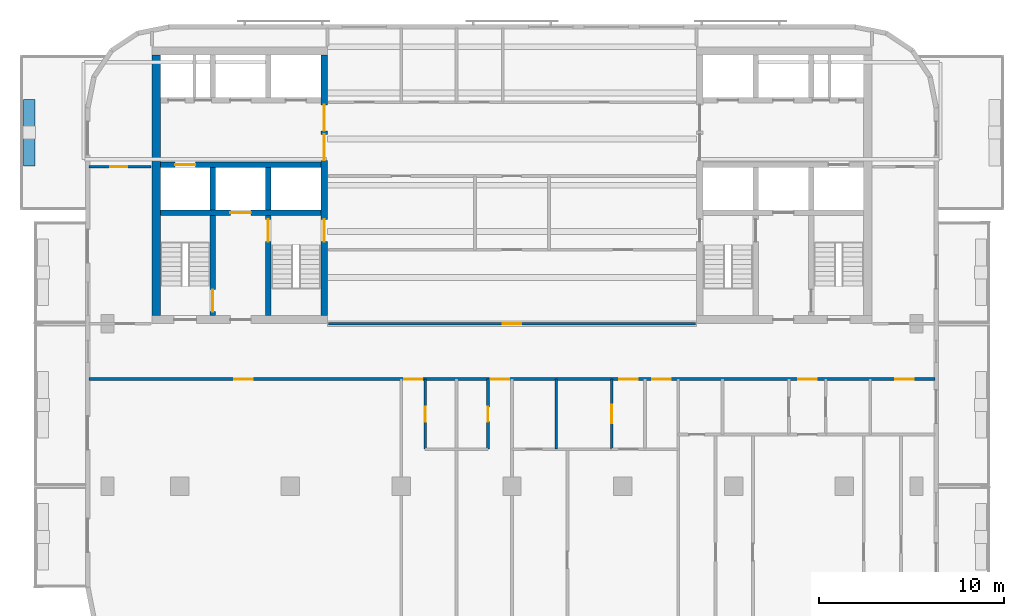
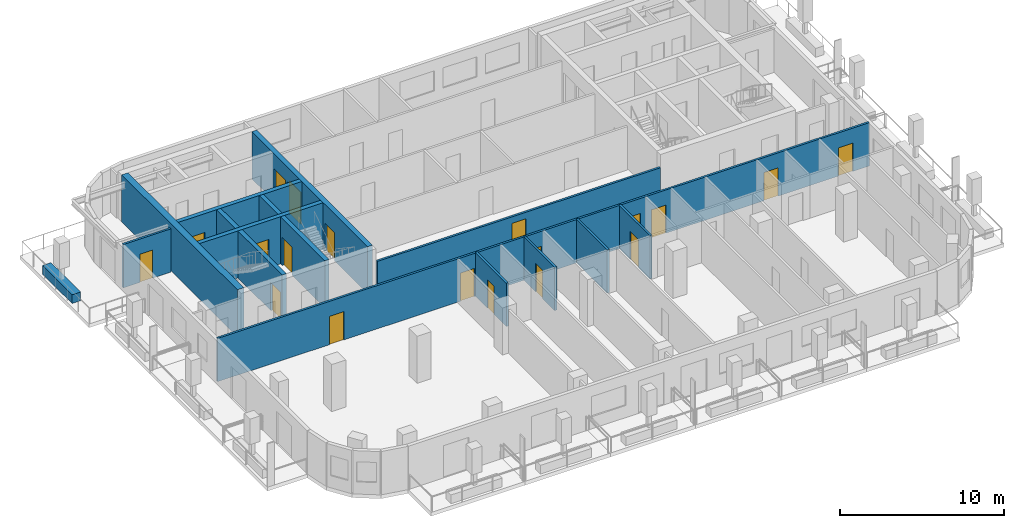
# One storey, part 3 of 10: 19 doors, 16 walls, 19 openings.
"""IFC4 building model written with IfcOpenShell, lengths in metres."""

from ifc_helpers import new_model, si_unit, direction, frame, frame_2d, origin, place, context, subcontext, project, spatial, rectangle, extrude, material, layer, layer_set, type_object, element, fill, save


model = new_model("IFC4")

# Units and contexts
model_context = context("Model", 3, precision=1e-05, world=origin(), true_north=direction((0.0, 1.0)))
body_context = subcontext(model_context, "Body", "Model", "MODEL_VIEW")
ifc_project = project(units=[si_unit("LENGTHUNIT", "METRE"), si_unit("AREAUNIT", "SQUARE_METRE"), si_unit("VOLUMEUNIT", "CUBIC_METRE"), si_unit("PLANEANGLEUNIT", "RADIAN"), si_unit("MASSUNIT", "GRAM", prefix="KILO")], contexts=[model_context])

# Site, building, storey
site_placement = place(None, origin())
site = spatial("IfcSite", under=ifc_project, at=site_placement, CompositionType="ELEMENT")
building_placement = place(site_placement, origin())
building = spatial("IfcBuilding", under=site, at=building_placement, Name="Torana Hotel and Residences", CompositionType="ELEMENT")
storey_placement = place(building_placement, frame((0.0, 0.0, 301.60009765625)))
storey = spatial("IfcBuildingStorey", under=building, at=storey_placement, Name="L80", CompositionType="ELEMENT", Elevation=301.60009765625)

# Wall, opening, door
ifc_material_1 = material(Name="Concrete C60/75", Category="concrete")
ifc_layer_1 = layer(ifc_material_1, 0.300048828125)
ifc_layer_set_1 = layer_set([ifc_layer_1], Name="CORE WALL 300 C60/75")
wall_type_1 = type_object("IfcWallType", Name="CORE WALL 300 C60/75", PredefinedType="SHEAR", material=ifc_layer_set_1)
wall_1_placement = place(storey_placement, frame((-19.050048828125, -6.39990234375, 0.0), z_axis=(0.0, 0.0, 1.0), x_axis=(1.0, 0.0, 0.0)))
wall_1 = element("IfcWall", 1, at=wall_1_placement, inside=storey, type_object=wall_type_1, Name="Core wall W row-S", PredefinedType="SHEAR", context=body_context, shape_type="SweptSolid", body=[
    extrude(rectangle(XDim=8.699951171875, YDim=0.300048828125, at=frame_2d((4.35009765625, 0.0))), origin(), (0.0, 0.0, 1.0), 3.5),
])
opening_1_placement = place(wall_1_placement, frame((0.800048828125, 0.0, 0.0)))
opening_1 = element("IfcOpeningElement", 2, at=opening_1_placement, cuts=wall_1, Name="Opening LD", PredefinedType="OPENING", context=body_context, shape_type="SweptSolid", body=[
    extrude(rectangle(XDim=1.10009765625, YDim=2.10009765625, at=frame_2d((0.550048828125, 1.050048828125))), frame((0.0, 0.159912109375, 0.0), z_axis=(0.0, -1.0, 0.0), x_axis=(1.0, 0.0, 0.0)), (0.0, 0.0, 1.0), 0.320068359375),
])
ifc_material_2 = material(Name="Stainless steel 316", Category="steel")
door_type_1 = type_object("IfcDoorType", Name="LIFT LANDING DOOR LD 1100x2100", OperationType="DOUBLE_DOOR_SLIDING", PredefinedType="USERDEFINED", material=ifc_material_2)
door_1_placement = place(opening_1_placement, origin())
door_1 = element("IfcDoor", 3, at=door_1_placement, inside=storey, type_object=door_type_1, Name="Lift landing door SV1 L80", ObjectType="LIFT LANDING DOOR", OperationType="DOUBLE_DOOR_SLIDING", OverallHeight=2.10009765625, OverallWidth=1.10009765625, PredefinedType="USERDEFINED", context=body_context, shape_type="SweptSolid", body=[
    extrude(rectangle(XDim=1.10009765625, YDim=2.10009765625, at=frame_2d((0.550048828125, 1.050048828125))), frame((0.0, 0.02490234375, 0.0), z_axis=(0.0, -1.0, 0.0), x_axis=(1.0, 0.0, 0.0)), (0.0, 0.0, 1.0), 0.050048828125),
])
fill(opening_1, door_1)

wall_2_placement = place(storey_placement, frame((-19.050048828125, -9.0, 0.0), z_axis=(0.0, 0.0, 1.0), x_axis=(1.0, 0.0, 0.0)))
wall_2 = element("IfcWall", 4, at=wall_2_placement, inside=storey, type_object=wall_type_1, Name="Core wall W band", PredefinedType="SHEAR", context=body_context, shape_type="SweptSolid", body=[
    extrude(rectangle(XDim=8.699951171875, YDim=0.300048828125, at=frame_2d((4.35009765625, 0.0))), origin(), (0.0, 0.0, 1.0), 3.5),
])
opening_2_placement = place(wall_2_placement, frame((3.800048828125, 0.0, 0.0)))
opening_2 = element("IfcOpeningElement", 5, at=opening_2_placement, cuts=wall_2, Name="Opening LD", PredefinedType="OPENING", context=body_context, shape_type="SweptSolid", body=[
    extrude(rectangle(XDim=1.10009765625, YDim=2.10009765625, at=frame_2d((0.550048828125, 1.050048828125))), frame((0.0, 0.159912109375, 0.0), z_axis=(0.0, -1.0, 0.0), x_axis=(1.0, 0.0, 0.0)), (0.0, 0.0, 1.0), 0.320068359375),
])
door_2_placement = place(opening_2_placement, origin())
door_2 = element("IfcDoor", 6, at=door_2_placement, inside=storey, type_object=door_type_1, Name="Lift landing door FF1 L80", ObjectType="LIFT LANDING DOOR", OperationType="DOUBLE_DOOR_SLIDING", OverallHeight=2.10009765625, OverallWidth=1.10009765625, PredefinedType="USERDEFINED", context=body_context, shape_type="SweptSolid", body=[
    extrude(rectangle(XDim=1.10009765625, YDim=2.10009765625, at=frame_2d((0.550048828125, 1.050048828125))), frame((0.0, 0.02490234375, 0.0), z_axis=(0.0, -1.0, 0.0), x_axis=(1.0, 0.0, 0.0)), (0.0, 0.0, 1.0), 0.050048828125),
])
fill(opening_2, door_2)

# Wall
wall_3_placement = place(storey_placement, frame((-13.199951171875, -8.85009765625, 0.0), z_axis=(0.0, 0.0, 1.0), x_axis=(0.0, 1.0, 0.0)))
element("IfcWall", 7, at=wall_3_placement, inside=storey, type_object=wall_type_1, Name="Core wall W x3.05-S", PredefinedType="SHEAR", context=body_context, shape_type="SweptSolid", body=[
    extrude(rectangle(XDim=2.300048828125, YDim=0.300048828125, at=frame_2d((1.14990234375, 0.0))), origin(), (0.0, 0.0, 1.0), 3.5),
])

# Wall, opening, door
wall_4_placement = place(storey_placement, frame((-13.199951171875, -14.550048828125, 0.0), z_axis=(0.0, 0.0, 1.0), x_axis=(0.0, 1.0, 0.0)))
wall_4 = element("IfcWall", 8, at=wall_4_placement, inside=storey, type_object=wall_type_1, Name="Core wall W x3.05-band", PredefinedType="SHEAR", context=body_context, shape_type="SweptSolid", body=[
    extrude(rectangle(XDim=5.400146484375, YDim=0.300048828125, at=frame_2d((2.7001953125, 0.0))), origin(), (0.0, 0.0, 1.0), 3.5),
])
opening_3_placement = place(wall_4_placement, frame((4.0, 0.0, 0.0)))
opening_3 = element("IfcOpeningElement", 9, at=opening_3_placement, cuts=wall_4, Name="Opening L80-08", PredefinedType="OPENING", context=body_context, shape_type="SweptSolid", body=[
    extrude(rectangle(XDim=1.199951171875, YDim=2.10009765625, at=frame_2d((0.60009765625, 1.050048828125))), frame((0.0, 0.159912109375, 0.0), z_axis=(0.0, -1.0, 0.0), x_axis=(1.0, 0.0, 0.0)), (0.0, 0.0, 1.0), 0.320068359375),
])
ifc_material_3 = material(Name="Steel S235", Category="steel")
door_type_2 = type_object("IfcDoorType", Name="STAIR FIRE DOOR D3 1200x2100", OperationType="SINGLE_SWING_LEFT", PredefinedType="DOOR", material=ifc_material_3)
door_3_placement = place(opening_3_placement, frame((0.60009765625, 0.0, 0.0), z_axis=(0.0, 0.0, 1.0), x_axis=(-1.0, 0.0, 0.0)))
door_3 = element("IfcDoor", 10, at=door_3_placement, inside=storey, type_object=door_type_2, Name="Stair-A-lobby door L80", OperationType="SINGLE_SWING_RIGHT", OverallHeight=2.10009765625, OverallWidth=1.199951171875, PredefinedType="DOOR", context=body_context, shape_type="SweptSolid", body=[
    extrude(rectangle(XDim=1.199951171875, YDim=2.10009765625, at=frame_2d((0.0, 1.050048828125))), frame((0.0, -0.02490234375, 0.0), z_axis=(0.0, 1.0, 0.0), x_axis=(-1.0, 0.0, 0.0)), (0.0, 0.0, 1.0), 0.050048828125),
])
fill(opening_3, door_3)

# Wall
wall_5_placement = place(storey_placement, frame((-16.199951171875, -8.85009765625, 0.0), z_axis=(0.0, 0.0, 1.0), x_axis=(0.0, 1.0, 0.0)))
element("IfcWall", 11, at=wall_5_placement, inside=storey, type_object=wall_type_1, Name="Core wall W x6.05-S", PredefinedType="SHEAR", context=body_context, shape_type="SweptSolid", body=[
    extrude(rectangle(XDim=2.300048828125, YDim=0.300048828125, at=frame_2d((1.14990234375, 0.0))), origin(), (0.0, 0.0, 1.0), 3.5),
])

# Wall, opening, door
wall_6_placement = place(storey_placement, frame((-16.199951171875, -14.550048828125, 0.0), z_axis=(0.0, 0.0, 1.0), x_axis=(0.0, 1.0, 0.0)))
wall_6 = element("IfcWall", 12, at=wall_6_placement, inside=storey, type_object=wall_type_1, Name="Core wall W x6.05-band", PredefinedType="SHEAR", context=body_context, shape_type="SweptSolid", body=[
    extrude(rectangle(XDim=5.400146484375, YDim=0.300048828125, at=frame_2d((2.7001953125, 0.0))), origin(), (0.0, 0.0, 1.0), 3.5),
])
opening_4_placement = place(wall_6_placement, frame((0.199951171875, 0.0, 0.0)))
opening_4 = element("IfcOpeningElement", 13, at=opening_4_placement, cuts=wall_6, Name="Opening L80-09", PredefinedType="OPENING", context=body_context, shape_type="SweptSolid", body=[
    extrude(rectangle(XDim=1.199951171875, YDim=2.10009765625, at=frame_2d((0.60009765625, 1.050048828125))), frame((0.0, 0.159912109375, 0.0), z_axis=(0.0, -1.0, 0.0), x_axis=(1.0, 0.0, 0.0)), (0.0, 0.0, 1.0), 0.320068359375),
])
door_4_placement = place(opening_4_placement, origin())
door_4 = element("IfcDoor", 14, at=door_4_placement, inside=storey, type_object=door_type_2, Name="Stair-B-lobby door L80", OperationType="SINGLE_SWING_RIGHT", OverallHeight=2.10009765625, OverallWidth=1.199951171875, PredefinedType="DOOR", context=body_context, shape_type="SweptSolid", body=[
    extrude(rectangle(XDim=1.199951171875, YDim=2.10009765625, at=frame_2d((0.60009765625, 1.050048828125))), frame((0.0, 0.02490234375, 0.0), z_axis=(0.0, -1.0, 0.0), x_axis=(1.0, 0.0, 0.0)), (0.0, 0.0, 1.0), 0.050048828125),
])
fill(opening_4, door_4)

# Wall, openings, doors
ifc_material_4 = material(Name="Concrete C60/75", Category="concrete")
ifc_layer_2 = layer(ifc_material_4, 0.35009765625)
ifc_layer_set_2 = layer_set([ifc_layer_2], Name="CORE WALL 350 C60/75")
wall_type_2 = type_object("IfcWallType", Name="CORE WALL 350 C60/75", PredefinedType="SHEAR", material=ifc_layer_set_2)
wall_7_placement = place(storey_placement, frame((-10.175048828125, -14.550048828125, 0.0), z_axis=(0.0, 0.0, 1.0), x_axis=(0.0, 1.0, 0.0)))
wall_7 = element("IfcWall", 15, at=wall_7_placement, inside=storey, type_object=wall_type_2, Name="Core wall W arch", PredefinedType="SHEAR", context=body_context, shape_type="SweptSolid", body=[
    extrude(rectangle(XDim=14.10009765625, YDim=0.35009765625, at=frame_2d((7.050048828125, 0.0))), origin(), (0.0, 0.0, 1.0), 3.5),
])
opening_5_placement = place(wall_7_placement, frame((8.39990234375, 0.0, 0.0)))
opening_5 = element("IfcOpeningElement", 16, at=opening_5_placement, cuts=wall_7, Name="Opening L80-01", PredefinedType="OPENING", context=body_context, shape_type="SweptSolid", body=[
    extrude(rectangle(XDim=1.39990234375, YDim=2.39990234375, at=frame_2d((0.699951171875, 1.199951171875))), frame((0.0, 0.18505859375, 0.0), z_axis=(0.0, -1.0, 0.0), x_axis=(1.0, 0.0, 0.0)), (0.0, 0.0, 1.0), 0.3701171875),
])
opening_6_placement = place(wall_7_placement, frame((10.0, 0.0, 0.0)))
opening_6 = element("IfcOpeningElement", 17, at=opening_6_placement, cuts=wall_7, Name="Opening L80-02", PredefinedType="OPENING", context=body_context, shape_type="SweptSolid", body=[
    extrude(rectangle(XDim=1.39990234375, YDim=2.39990234375, at=frame_2d((0.699951171875, 1.199951171875))), frame((0.0, 0.18505859375, 0.0), z_axis=(0.0, -1.0, 0.0), x_axis=(1.0, 0.0, 0.0)), (0.0, 0.0, 1.0), 0.3701171875),
])
opening_7_placement = place(wall_7_placement, frame((4.0, 0.0, 0.0)))
opening_7 = element("IfcOpeningElement", 18, at=opening_7_placement, cuts=wall_7, Name="Opening L80-03", PredefinedType="OPENING", context=body_context, shape_type="SweptSolid", body=[
    extrude(rectangle(XDim=1.199951171875, YDim=2.10009765625, at=frame_2d((0.60009765625, 1.050048828125))), frame((0.0, 0.18505859375, 0.0), z_axis=(0.0, -1.0, 0.0), x_axis=(1.0, 0.0, 0.0)), (0.0, 0.0, 1.0), 0.3701171875),
])
ifc_material_5 = material(Name="Steel S235", Category="steel")
door_type_3 = type_object("IfcDoorType", Name="LOBBY FIRE DOOR D4 1400x2400", OperationType="DOUBLE_DOOR_SINGLE_SWING", PredefinedType="DOOR", material=ifc_material_5)
door_5_placement = place(opening_5_placement, origin())
door_5 = element("IfcDoor", 19, at=door_5_placement, inside=storey, type_object=door_type_3, Name="Lobby-1 door L80", OperationType="DOUBLE_DOOR_SINGLE_SWING", OverallHeight=2.39990234375, OverallWidth=1.39990234375, PredefinedType="DOOR", context=body_context, shape_type="SweptSolid", body=[
    extrude(rectangle(XDim=1.39990234375, YDim=2.39990234375, at=frame_2d((0.699951171875, 1.199951171875))), frame((0.0, 0.02490234375, 0.0), z_axis=(0.0, -1.0, 0.0), x_axis=(1.0, 0.0, 0.0)), (0.0, 0.0, 1.0), 0.050048828125),
])
fill(opening_5, door_5)
door_6_placement = place(opening_6_placement, origin())
door_6 = element("IfcDoor", 20, at=door_6_placement, inside=storey, type_object=door_type_3, Name="Lobby-2 door L80", OperationType="DOUBLE_DOOR_SINGLE_SWING", OverallHeight=2.39990234375, OverallWidth=1.39990234375, PredefinedType="DOOR", context=body_context, shape_type="SweptSolid", body=[
    extrude(rectangle(XDim=1.39990234375, YDim=2.39990234375, at=frame_2d((0.699951171875, 1.199951171875))), frame((0.0, 0.02490234375, 0.0), z_axis=(0.0, -1.0, 0.0), x_axis=(1.0, 0.0, 0.0)), (0.0, 0.0, 1.0), 0.050048828125),
])
fill(opening_6, door_6)
door_7_placement = place(opening_7_placement, origin())
door_7 = element("IfcDoor", 21, at=door_7_placement, inside=storey, type_object=door_type_2, Name="Stair-A door L80", OperationType="SINGLE_SWING_LEFT", OverallHeight=2.10009765625, OverallWidth=1.199951171875, PredefinedType="DOOR", context=body_context, shape_type="SweptSolid", body=[
    extrude(rectangle(XDim=1.199951171875, YDim=2.10009765625, at=frame_2d((0.60009765625, 1.050048828125))), frame((0.0, 0.02490234375, 0.0), z_axis=(0.0, -1.0, 0.0), x_axis=(1.0, 0.0, 0.0)), (0.0, 0.0, 1.0), 0.050048828125),
])
fill(opening_7, door_7)

# Wall
ifc_material_6 = material(Name="Concrete C60/75", Category="concrete")
ifc_layer_3 = layer(ifc_material_6, 0.449951171875)
ifc_layer_set_3 = layer_set([ifc_layer_3], Name="CORE WALL 450 C60/75")
wall_type_3 = type_object("IfcWallType", Name="CORE WALL 450 C60/75", PredefinedType="SHEAR", material=ifc_layer_set_3)
wall_8_placement = place(storey_placement, frame((-19.27490234375, -14.550048828125, 0.0), z_axis=(0.0, 0.0, 1.0), x_axis=(0.0, 1.0, 0.0)))
element("IfcWall", 22, at=wall_8_placement, inside=storey, type_object=wall_type_3, Name="Core wall W outer", PredefinedType="SHEAR", context=body_context, shape_type="SweptSolid", body=[
    extrude(rectangle(XDim=14.10009765625, YDim=0.449951171875, at=frame_2d((7.050048828125, 0.0))), origin(), (0.0, 0.0, 1.0), 3.5),
])

# Wall, opening, door
ifc_material_7 = material(Name="Gypsum plaster")
ifc_layer_4 = layer(ifc_material_7, 0.014892578125, Name="Plaster", Category="finish")
ifc_material_8 = material(Name="Concrete blockwork", Category="masonry")
ifc_layer_5 = layer(ifc_material_8, 0.1201171875, Name="Blockwork", Category="structure")
ifc_layer_6 = layer(ifc_material_7, 0.014892578125, Name="Plaster", Category="finish")
ifc_layer_set_4 = layer_set([ifc_layer_4, ifc_layer_5, ifc_layer_6], Name="FIRE PARTITION 150 BLOCKWORK")
wall_type_4 = type_object("IfcWallType", Name="FIRE PARTITION 150 BLOCKWORK", PredefinedType="PARTITIONING", material=ifc_layer_set_4)
wall_9_placement = place(storey_placement, frame((5.39990234375, -21.800048828125, 0.0), z_axis=(0.0, 0.0, 1.0), x_axis=(0.0, 1.0, 0.0)))
wall_9 = element("IfcWall", 23, at=wall_9_placement, inside=storey, type_object=wall_type_4, Name="Partition L80", PredefinedType="PARTITIONING", context=body_context, shape_type="SweptSolid", body=[
    extrude(rectangle(XDim=3.800048828125, YDim=0.14990234375, at=frame_2d((1.89990234375, 0.0))), origin(), (0.0, 0.0, 1.0), 3.219970703125),
])
opening_8_placement = place(wall_9_placement, frame((1.39990234375, 0.0, 0.0)))
opening_8 = element("IfcOpeningElement", 24, at=opening_8_placement, cuts=wall_9, Name="Opening L80-40", PredefinedType="OPENING", context=body_context, shape_type="SweptSolid", body=[
    extrude(rectangle(XDim=1.0, YDim=2.10009765625, at=frame_2d((0.5, 1.050048828125))), frame((0.0, 0.0849609375, 0.0), z_axis=(0.0, -1.0, 0.0), x_axis=(1.0, 0.0, 0.0)), (0.0, 0.0, 1.0), 0.169921875),
])
ifc_material_9 = material(Name="Steel S235", Category="steel")
door_type_4 = type_object("IfcDoorType", Name="ENTRY FIRE DOOR D6 1000x2100", OperationType="SINGLE_SWING_LEFT", PredefinedType="DOOR", material=ifc_material_9)
door_8_placement = place(opening_8_placement, origin())
door_8 = element("IfcDoor", 25, at=door_8_placement, inside=storey, type_object=door_type_4, Name="Door L80", OperationType="SINGLE_SWING_RIGHT", OverallHeight=2.10009765625, OverallWidth=1.0, PredefinedType="DOOR", context=body_context, shape_type="SweptSolid", body=[
    extrude(rectangle(XDim=1.0, YDim=2.10009765625, at=frame_2d((0.5, 1.050048828125))), frame((0.0, 0.02490234375, 0.0), z_axis=(0.0, -1.0, 0.0), x_axis=(1.0, 0.0, 0.0)), (0.0, 0.0, 1.0), 0.050048828125),
])
fill(opening_8, door_8)

# Wall, openings, doors
wall_10_placement = place(storey_placement, frame((-22.919921875, -18.0, 0.0), z_axis=(0.0, 0.0, 1.0), x_axis=(1.0, 0.0, 0.0)))
wall_10 = element("IfcWall", 26, at=wall_10_placement, inside=storey, type_object=wall_type_4, Name="Partition L80", PredefinedType="PARTITIONING", context=body_context, shape_type="SweptSolid", body=[
    extrude(rectangle(XDim=45.83984375, YDim=0.14990234375, at=frame_2d((22.919921875, 0.0))), origin(), (0.0, 0.0, 1.0), 3.219970703125),
])
opening_9_placement = place(wall_10_placement, frame((17.070068359375, 0.0, 0.0)))
opening_9 = element("IfcOpeningElement", 27, at=opening_9_placement, cuts=wall_10, Name="Opening L80-20", PredefinedType="OPENING", context=body_context, shape_type="SweptSolid", body=[
    extrude(rectangle(XDim=1.0, YDim=2.10009765625, at=frame_2d((0.5, 1.050048828125))), frame((0.0, 0.0849609375, 0.0), z_axis=(0.0, -1.0, 0.0), x_axis=(1.0, 0.0, 0.0)), (0.0, 0.0, 1.0), 0.169921875),
])
opening_10_placement = place(wall_10_placement, frame((21.77001953125, 0.0, 0.0)))
opening_10 = element("IfcOpeningElement", 28, at=opening_10_placement, cuts=wall_10, Name="Opening L80-21", PredefinedType="OPENING", context=body_context, shape_type="SweptSolid", body=[
    extrude(rectangle(XDim=1.0, YDim=2.10009765625, at=frame_2d((0.5, 1.050048828125))), frame((0.0, 0.0849609375, 0.0), z_axis=(0.0, -1.0, 0.0), x_axis=(1.0, 0.0, 0.0)), (0.0, 0.0, 1.0), 0.169921875),
])
opening_11_placement = place(wall_10_placement, frame((28.719970703125, 0.0, 0.0)))
opening_11 = element("IfcOpeningElement", 29, at=opening_11_placement, cuts=wall_10, Name="Opening L80-22", PredefinedType="OPENING", context=body_context, shape_type="SweptSolid", body=[
    extrude(rectangle(XDim=1.0, YDim=2.10009765625, at=frame_2d((0.5, 1.050048828125))), frame((0.0, 0.0849609375, 0.0), z_axis=(0.0, -1.0, 0.0), x_axis=(1.0, 0.0, 0.0)), (0.0, 0.0, 1.0), 0.169921875),
])
opening_12_placement = place(wall_10_placement, frame((30.52001953125, 0.0, 0.0)))
opening_12 = element("IfcOpeningElement", 30, at=opening_12_placement, cuts=wall_10, Name="Opening L80-23", PredefinedType="OPENING", context=body_context, shape_type="SweptSolid", body=[
    extrude(rectangle(XDim=1.0, YDim=2.10009765625, at=frame_2d((0.5, 1.050048828125))), frame((0.0, 0.0849609375, 0.0), z_axis=(0.0, -1.0, 0.0), x_axis=(1.0, 0.0, 0.0)), (0.0, 0.0, 1.0), 0.169921875),
])
opening_13_placement = place(wall_10_placement, frame((7.8701171875, 0.0, 0.0)))
opening_13 = element("IfcOpeningElement", 31, at=opening_13_placement, cuts=wall_10, Name="Opening L80-24", PredefinedType="OPENING", context=body_context, shape_type="SweptSolid", body=[
    extrude(rectangle(XDim=1.0, YDim=2.10009765625, at=frame_2d((0.5, 1.050048828125))), frame((0.0, 0.0849609375, 0.0), z_axis=(0.0, -1.0, 0.0), x_axis=(1.0, 0.0, 0.0)), (0.0, 0.0, 1.0), 0.169921875),
])
opening_14_placement = place(wall_10_placement, frame((38.419921875, 0.0, 0.0)))
opening_14 = element("IfcOpeningElement", 32, at=opening_14_placement, cuts=wall_10, Name="Opening L80-25", PredefinedType="OPENING", context=body_context, shape_type="SweptSolid", body=[
    extrude(rectangle(XDim=1.0, YDim=2.10009765625, at=frame_2d((0.5, 1.050048828125))), frame((0.0, 0.0849609375, 0.0), z_axis=(0.0, -1.0, 0.0), x_axis=(1.0, 0.0, 0.0)), (0.0, 0.0, 1.0), 0.169921875),
])
opening_15_placement = place(wall_10_placement, frame((43.669921875, 0.0, 0.0)))
opening_15 = element("IfcOpeningElement", 33, at=opening_15_placement, cuts=wall_10, Name="Opening L80-26", PredefinedType="OPENING", context=body_context, shape_type="SweptSolid", body=[
    extrude(rectangle(XDim=1.0, YDim=2.10009765625, at=frame_2d((0.5, 1.050048828125))), frame((0.0, 0.0849609375, 0.0), z_axis=(0.0, -1.0, 0.0), x_axis=(1.0, 0.0, 0.0)), (0.0, 0.0, 1.0), 0.169921875),
])
door_9_placement = place(opening_9_placement, frame((0.5, 0.0, 0.0), z_axis=(0.0, 0.0, 1.0), x_axis=(-1.0, 0.0, 0.0)))
door_9 = element("IfcDoor", 34, at=door_9_placement, inside=storey, type_object=door_type_4, Name="Door L80", OperationType="SINGLE_SWING_LEFT", OverallHeight=2.10009765625, OverallWidth=1.0, PredefinedType="DOOR", context=body_context, shape_type="SweptSolid", body=[
    extrude(rectangle(XDim=1.0, YDim=2.10009765625, at=frame_2d((0.0, 1.050048828125))), frame((0.0, -0.02490234375, 0.0), z_axis=(0.0, 1.0, 0.0), x_axis=(-1.0, 0.0, 0.0)), (0.0, 0.0, 1.0), 0.050048828125),
])
fill(opening_9, door_9)
door_10_placement = place(opening_10_placement, frame((0.5, 0.0, 0.0), z_axis=(0.0, 0.0, 1.0), x_axis=(-1.0, 0.0, 0.0)))
door_10 = element("IfcDoor", 35, at=door_10_placement, inside=storey, type_object=door_type_4, Name="Door L80", OperationType="SINGLE_SWING_LEFT", OverallHeight=2.10009765625, OverallWidth=1.0, PredefinedType="DOOR", context=body_context, shape_type="SweptSolid", body=[
    extrude(rectangle(XDim=1.0, YDim=2.10009765625, at=frame_2d((0.0, 1.050048828125))), frame((0.0, -0.02490234375, 0.0), z_axis=(0.0, 1.0, 0.0), x_axis=(-1.0, 0.0, 0.0)), (0.0, 0.0, 1.0), 0.050048828125),
])
fill(opening_10, door_10)
door_11_placement = place(opening_11_placement, origin())
door_11 = element("IfcDoor", 36, at=door_11_placement, inside=storey, type_object=door_type_4, Name="Door L80", OperationType="SINGLE_SWING_RIGHT", OverallHeight=2.10009765625, OverallWidth=1.0, PredefinedType="DOOR", context=body_context, shape_type="SweptSolid", body=[
    extrude(rectangle(XDim=1.0, YDim=2.10009765625, at=frame_2d((0.5, 1.050048828125))), frame((0.0, 0.02490234375, 0.0), z_axis=(0.0, -1.0, 0.0), x_axis=(1.0, 0.0, 0.0)), (0.0, 0.0, 1.0), 0.050048828125),
])
fill(opening_11, door_11)
door_12_placement = place(opening_12_placement, frame((0.5, 0.0, 0.0), z_axis=(0.0, 0.0, 1.0), x_axis=(-1.0, 0.0, 0.0)))
door_12 = element("IfcDoor", 37, at=door_12_placement, inside=storey, type_object=door_type_4, Name="Door L80", OperationType="SINGLE_SWING_LEFT", OverallHeight=2.10009765625, OverallWidth=1.0, PredefinedType="DOOR", context=body_context, shape_type="SweptSolid", body=[
    extrude(rectangle(XDim=1.0, YDim=2.10009765625, at=frame_2d((0.0, 1.050048828125))), frame((0.0, -0.02490234375, 0.0), z_axis=(0.0, 1.0, 0.0), x_axis=(-1.0, 0.0, 0.0)), (0.0, 0.0, 1.0), 0.050048828125),
])
fill(opening_12, door_12)
door_13_placement = place(opening_13_placement, frame((0.5, 0.0, 0.0), z_axis=(0.0, 0.0, 1.0), x_axis=(-1.0, 0.0, 0.0)))
door_13 = element("IfcDoor", 38, at=door_13_placement, inside=storey, type_object=door_type_4, Name="Door L80", OperationType="SINGLE_SWING_LEFT", OverallHeight=2.10009765625, OverallWidth=1.0, PredefinedType="DOOR", context=body_context, shape_type="SweptSolid", body=[
    extrude(rectangle(XDim=1.0, YDim=2.10009765625, at=frame_2d((0.0, 1.050048828125))), frame((0.0, -0.02490234375, 0.0), z_axis=(0.0, 1.0, 0.0), x_axis=(-1.0, 0.0, 0.0)), (0.0, 0.0, 1.0), 0.050048828125),
])
fill(opening_13, door_13)
door_14_placement = place(opening_14_placement, origin())
door_14 = element("IfcDoor", 39, at=door_14_placement, inside=storey, type_object=door_type_4, Name="Door L80", OperationType="SINGLE_SWING_RIGHT", OverallHeight=2.10009765625, OverallWidth=1.0, PredefinedType="DOOR", context=body_context, shape_type="SweptSolid", body=[
    extrude(rectangle(XDim=1.0, YDim=2.10009765625, at=frame_2d((0.5, 1.050048828125))), frame((0.0, 0.02490234375, 0.0), z_axis=(0.0, -1.0, 0.0), x_axis=(1.0, 0.0, 0.0)), (0.0, 0.0, 1.0), 0.050048828125),
])
fill(opening_14, door_14)
door_15_placement = place(opening_15_placement, frame((0.5, 0.0, 0.0), z_axis=(0.0, 0.0, 1.0), x_axis=(-1.0, 0.0, 0.0)))
door_15 = element("IfcDoor", 40, at=door_15_placement, inside=storey, type_object=door_type_4, Name="Door L80", OperationType="SINGLE_SWING_RIGHT", OverallHeight=2.10009765625, OverallWidth=1.0, PredefinedType="DOOR", context=body_context, shape_type="SweptSolid", body=[
    extrude(rectangle(XDim=1.0, YDim=2.10009765625, at=frame_2d((0.0, 1.050048828125))), frame((0.0, -0.02490234375, 0.0), z_axis=(0.0, 1.0, 0.0), x_axis=(-1.0, 0.0, 0.0)), (0.0, 0.0, 1.0), 0.050048828125),
])
fill(opening_15, door_15)

# Wall, opening, door
wall_11_placement = place(storey_placement, frame((-9.949951171875, -15.0, 0.0), z_axis=(0.0, 0.0, 1.0), x_axis=(1.0, 0.0, 0.0)))
wall_11 = element("IfcWall", 41, at=wall_11_placement, inside=storey, type_object=wall_type_4, Name="Partition L80", PredefinedType="PARTITIONING", context=body_context, shape_type="SweptSolid", body=[
    extrude(rectangle(XDim=19.89990234375, YDim=0.14990234375, at=frame_2d((9.949951171875, 0.0))), origin(), (0.0, 0.0, 1.0), 2.583984375),
])
opening_16_placement = place(wall_11_placement, frame((9.449951171875, 0.0, 0.0)))
opening_16 = element("IfcOpeningElement", 42, at=opening_16_placement, cuts=wall_11, Name="Opening L80-19", PredefinedType="OPENING", context=body_context, shape_type="SweptSolid", body=[
    extrude(rectangle(XDim=1.0, YDim=2.10009765625, at=frame_2d((0.5, 1.050048828125))), frame((0.0, 0.0849609375, 0.0), z_axis=(0.0, -1.0, 0.0), x_axis=(1.0, 0.0, 0.0)), (0.0, 0.0, 1.0), 0.169921875),
])
door_16_placement = place(opening_16_placement, origin())
door_16 = element("IfcDoor", 43, at=door_16_placement, inside=storey, type_object=door_type_4, Name="Door L80", OperationType="SINGLE_SWING_RIGHT", OverallHeight=2.10009765625, OverallWidth=1.0, PredefinedType="DOOR", context=body_context, shape_type="SweptSolid", body=[
    extrude(rectangle(XDim=1.0, YDim=2.10009765625, at=frame_2d((0.5, 1.050048828125))), frame((0.0, 0.02490234375, 0.0), z_axis=(0.0, -1.0, 0.0), x_axis=(1.0, 0.0, 0.0)), (0.0, 0.0, 1.0), 0.050048828125),
])
fill(opening_16, door_16)

# Wall
ifc_material_10 = material(Name="Gypsum plasterboard")
ifc_layer_7 = layer(ifc_material_10, 0.012451171875, Name="Plasterboard", Category="finish")
ifc_layer_8 = layer(ifc_material_10, 0.012451171875, Name="Plasterboard", Category="finish")
ifc_material_11 = material(Name="Steel S280GD", Category="steel")
ifc_layer_9 = layer(ifc_material_11, 0.10009765625, Name="Steel studs with mineral wool", Category="insulation")
ifc_layer_10 = layer(ifc_material_10, 0.012451171875, Name="Plasterboard", Category="finish")
ifc_layer_11 = layer(ifc_material_10, 0.012451171875, Name="Plasterboard", Category="finish")
ifc_layer_set_5 = layer_set([ifc_layer_7, ifc_layer_8, ifc_layer_9, ifc_layer_10, ifc_layer_11], Name="PARTITION 150 PLASTERBOARD")
wall_type_5 = type_object("IfcWallType", Name="PARTITION 150 PLASTERBOARD", PredefinedType="PARTITIONING", material=ifc_layer_set_5)
wall_12_placement = place(storey_placement, frame((2.39990234375, -21.800048828125, 0.0), z_axis=(0.0, 0.0, 1.0), x_axis=(0.0, 1.0, 0.0)))
element("IfcWall", 44, at=wall_12_placement, inside=storey, type_object=wall_type_5, Name="Partition L80", PredefinedType="PARTITIONING", context=body_context, shape_type="SweptSolid", body=[
    extrude(rectangle(XDim=3.800048828125, YDim=0.14990234375, at=frame_2d((1.89990234375, 0.0))), origin(), (0.0, 0.0, 1.0), 3.219970703125),
])

# Wall, opening, door
wall_13_placement = place(storey_placement, frame((-1.300048828125, -21.800048828125, 0.0), z_axis=(0.0, 0.0, 1.0), x_axis=(0.0, 1.0, 0.0)))
wall_13 = element("IfcWall", 45, at=wall_13_placement, inside=storey, type_object=wall_type_5, Name="Partition L80", PredefinedType="PARTITIONING", context=body_context, shape_type="SweptSolid", body=[
    extrude(rectangle(XDim=3.800048828125, YDim=0.14990234375, at=frame_2d((1.89990234375, 0.0))), origin(), (0.0, 0.0, 1.0), 3.219970703125),
])
opening_17_placement = place(wall_13_placement, frame((1.5, 0.0, 0.0)))
opening_17 = element("IfcOpeningElement", 46, at=opening_17_placement, cuts=wall_13, Name="Opening L80-38", PredefinedType="OPENING", context=body_context, shape_type="SweptSolid", body=[
    extrude(rectangle(XDim=0.800048828125, YDim=2.10009765625, at=frame_2d((0.39990234375, 1.050048828125))), frame((0.0, 0.0849609375, 0.0), z_axis=(0.0, -1.0, 0.0), x_axis=(1.0, 0.0, 0.0)), (0.0, 0.0, 1.0), 0.169921875),
])
ifc_material_12 = material(Name="Timber door, painted", Category="wood")
door_type_5 = type_object("IfcDoorType", Name="BATH DOOR D13 800x2100", OperationType="SINGLE_SWING_LEFT", PredefinedType="DOOR", material=ifc_material_12)
door_17_placement = place(opening_17_placement, origin())
door_17 = element("IfcDoor", 47, at=door_17_placement, inside=storey, type_object=door_type_5, Name="Door L80", OperationType="SINGLE_SWING_RIGHT", OverallHeight=2.10009765625, OverallWidth=0.800048828125, PredefinedType="DOOR", context=body_context, shape_type="SweptSolid", body=[
    extrude(rectangle(XDim=0.800048828125, YDim=2.10009765625, at=frame_2d((0.39990234375, 1.050048828125))), frame((0.0, 0.02490234375, 0.0), z_axis=(0.0, -1.0, 0.0), x_axis=(1.0, 0.0, 0.0)), (0.0, 0.0, 1.0), 0.050048828125),
])
fill(opening_17, door_17)

wall_14_placement = place(storey_placement, frame((-4.699951171875, -21.800048828125, 0.0), z_axis=(0.0, 0.0, 1.0), x_axis=(0.0, 1.0, 0.0)))
wall_14 = element("IfcWall", 48, at=wall_14_placement, inside=storey, type_object=wall_type_5, Name="Partition L80", PredefinedType="PARTITIONING", context=body_context, shape_type="SweptSolid", body=[
    extrude(rectangle(XDim=3.800048828125, YDim=0.14990234375, at=frame_2d((1.89990234375, 0.0))), origin(), (0.0, 0.0, 1.0), 3.219970703125),
])
opening_18_placement = place(wall_14_placement, frame((1.5, 0.0, 0.0)))
opening_18 = element("IfcOpeningElement", 49, at=opening_18_placement, cuts=wall_14, Name="Opening L80-37", PredefinedType="OPENING", context=body_context, shape_type="SweptSolid", body=[
    extrude(rectangle(XDim=0.800048828125, YDim=2.10009765625, at=frame_2d((0.39990234375, 1.050048828125))), frame((0.0, 0.0849609375, 0.0), z_axis=(0.0, -1.0, 0.0), x_axis=(1.0, 0.0, 0.0)), (0.0, 0.0, 1.0), 0.169921875),
])
door_18_placement = place(opening_18_placement, origin())
door_18 = element("IfcDoor", 50, at=door_18_placement, inside=storey, type_object=door_type_5, Name="Door L80", OperationType="SINGLE_SWING_RIGHT", OverallHeight=2.10009765625, OverallWidth=0.800048828125, PredefinedType="DOOR", context=body_context, shape_type="SweptSolid", body=[
    extrude(rectangle(XDim=0.800048828125, YDim=2.10009765625, at=frame_2d((0.39990234375, 1.050048828125))), frame((0.0, 0.02490234375, 0.0), z_axis=(0.0, -1.0, 0.0), x_axis=(1.0, 0.0, 0.0)), (0.0, 0.0, 1.0), 0.050048828125),
])
fill(opening_18, door_18)

wall_15_placement = place(storey_placement, frame((-22.919921875, -6.5, 0.0), z_axis=(0.0, 0.0, 1.0), x_axis=(1.0, 0.0, 0.0)))
wall_15 = element("IfcWall", 51, at=wall_15_placement, inside=storey, type_object=wall_type_5, Name="Partition L80", PredefinedType="PARTITIONING", context=body_context, shape_type="SweptSolid", body=[
    extrude(rectangle(XDim=3.369873046875, YDim=0.14990234375, at=frame_2d((1.68505859375, 0.0))), origin(), (0.0, 0.0, 1.0), 3.219970703125),
])
opening_19_placement = place(wall_15_placement, frame((1.169921875, 0.0, 0.0)))
opening_19 = element("IfcOpeningElement", 52, at=opening_19_placement, cuts=wall_15, Name="Opening L80-51", PredefinedType="OPENING", context=body_context, shape_type="SweptSolid", body=[
    extrude(rectangle(XDim=0.89990234375, YDim=2.10009765625, at=frame_2d((0.449951171875, 1.050048828125))), frame((0.0, 0.0849609375, 0.0), z_axis=(0.0, -1.0, 0.0), x_axis=(1.0, 0.0, 0.0)), (0.0, 0.0, 1.0), 0.169921875),
])
ifc_material_13 = material(Name="Timber door, oiled ash", Category="wood")
door_type_6 = type_object("IfcDoorType", Name="ROOM DOOR D7 900x2100", OperationType="SINGLE_SWING_LEFT", PredefinedType="DOOR", material=ifc_material_13)
door_19_placement = place(opening_19_placement, origin())
door_19 = element("IfcDoor", 53, at=door_19_placement, inside=storey, type_object=door_type_6, Name="Door L80", OperationType="SINGLE_SWING_RIGHT", OverallHeight=2.10009765625, OverallWidth=0.89990234375, PredefinedType="DOOR", context=body_context, shape_type="SweptSolid", body=[
    extrude(rectangle(XDim=0.89990234375, YDim=2.10009765625, at=frame_2d((0.449951171875, 1.050048828125))), frame((0.0, 0.02490234375, 0.0), z_axis=(0.0, -1.0, 0.0), x_axis=(1.0, 0.0, 0.0)), (0.0, 0.0, 1.0), 0.050048828125),
])
fill(opening_19, door_19)

# Wall
ifc_material_14 = material(Name="Concrete C40/50 precast", Category="concrete")
ifc_layer_12 = layer(ifc_material_14, 0.10009765625, Name="Planter shell", Category="structure")
ifc_material_15 = material(Name="Root resistant membrane")
ifc_layer_13 = layer(ifc_material_15, 0.00390625, Name="Waterproofing membrane", Category="membrane")
ifc_material_16 = material(Name="Drainage board with filter fleece")
ifc_layer_14 = layer(ifc_material_16, 0.02001953125, Name="Drainage board", Category="drainage")
ifc_material_17 = material(Name="Growing medium")
ifc_layer_15 = layer(ifc_material_17, 0.47607421875, Name="Planting substrate", Category="soil")
ifc_layer_set_6 = layer_set([ifc_layer_12, ifc_layer_13, ifc_layer_14, ifc_layer_15], Name="PL1 BALCONY PLANTER 600")
wall_type_6 = type_object("IfcWallType", Name="PL1 BALCONY PLANTER 600", PredefinedType="USERDEFINED", material=ifc_layer_set_6)
wall_16_placement = place(storey_placement, frame((-26.14990234375, -6.449951171875, 0.0), z_axis=(0.0, 0.0, 1.0), x_axis=(0.0, 1.0, 0.0)))
element("IfcWall", 54, at=wall_16_placement, inside=storey, type_object=wall_type_6, Name="Planter 10", ObjectType="PLANTER", PredefinedType="USERDEFINED", context=body_context, shape_type="SweptSolid", body=[
    extrude(rectangle(XDim=3.599853515625, YDim=0.60009765625, at=frame_2d((1.7998046875, 0.0))), origin(), (0.0, 0.0, 1.0), 0.64990234375),
])

save(model, "model.ifc")
